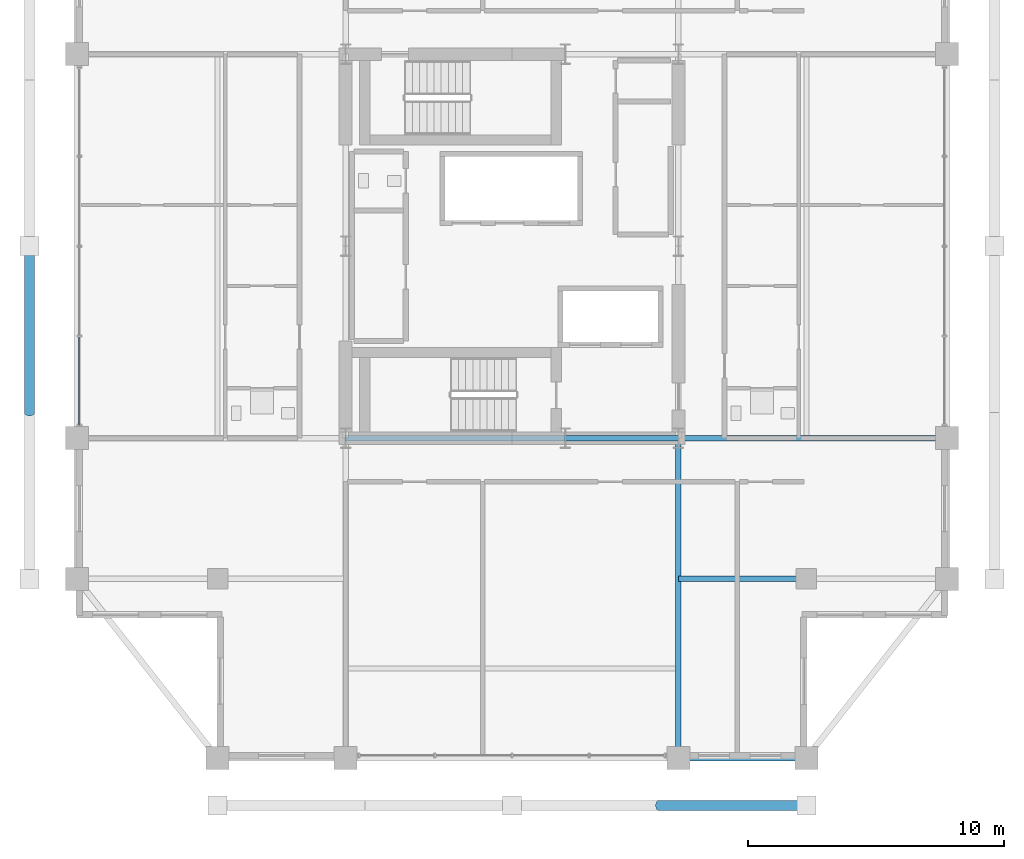
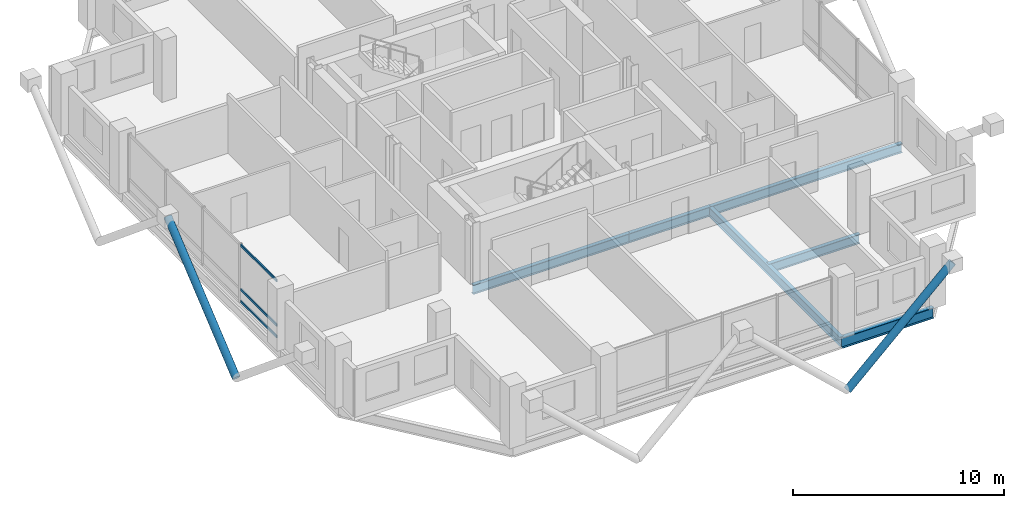
# One storey, part 6 of 23: 6 beams, 5 members, 1 element without a shape of its own.
"""IFC4 building model written with IfcOpenShell, lengths in metres."""

from ifc_helpers import new_model, si_unit, direction, frame, origin, origin_2d, place, context, subcontext, project, spatial, hollow_rectangle, hollow_circle, i_section, extrude, material, layer, layer_set, material_profile, profile_set, type_object, element, aggregate, save


model = new_model("IFC4")

# Units and contexts
model_context = context("Model", 3, precision=1e-05, world=origin(), true_north=direction((0.0, 1.0)))
body_context = subcontext(model_context, "Body", "Model", "MODEL_VIEW")
ifc_project = project(units=[si_unit("LENGTHUNIT", "METRE"), si_unit("AREAUNIT", "SQUARE_METRE"), si_unit("VOLUMEUNIT", "CUBIC_METRE"), si_unit("PLANEANGLEUNIT", "RADIAN"), si_unit("MASSUNIT", "GRAM", prefix="KILO")], contexts=[model_context])

# Site, building, storey
site_placement = place(None, origin())
site = spatial("IfcSite", under=ifc_project, at=site_placement, CompositionType="ELEMENT")
building_placement = place(site_placement, origin())
building = spatial("IfcBuilding", under=site, at=building_placement, Name="Barlavira Tower and Art Museum", CompositionType="ELEMENT")
storey_placement = place(building_placement, frame((0.0, 0.0, 290.699951171875)))
storey = spatial("IfcBuildingStorey", under=building, at=storey_placement, Name="L76", CompositionType="ELEMENT", Elevation=290.699951171875)

# Curtain wall, members
ifc_material_1 = material(Name="Low-iron coastal laminated glass", Category="glass")
ifc_layer = layer(ifc_material_1, 0.2099609375, Name="Low-iron coastal laminated glass")
ifc_layer_set = layer_set([ifc_layer], Name="Low-iron coastal laminated glass")
curtain_wall_type = type_object("IfcCurtainWallType", Name="Pale-Metal Unitised Curtain Wall Zone 4", PredefinedType="NOTDEFINED", material=ifc_layer_set)
curtain_wall_placement = place(storey_placement, origin())
curtain_wall = element("IfcCurtainWall", 1, at=curtain_wall_placement, inside=storey, type_object=curtain_wall_type, Name="L76 Curtain Wall CW4-L76-W-B3", PredefinedType="NOTDEFINED")
ifc_material_2 = material(Name="Pale anodised aluminium", Category="aluminium")
ifc_material_profile_1 = material_profile(ifc_material_2, hollow_rectangle(XDim=0.06494140625, YDim=0.139892578125, WallThickness=0.00390625, at=origin_2d()), Name="ALU-TRAN 65x140x4")
ifc_profile_set_1 = profile_set([ifc_material_profile_1], Name="Pale anodised aluminium")
member_type_1 = type_object("IfcMemberType", Name="Curtain Wall Pale-Metal Transom 65x140", PredefinedType="USERDEFINED", material=ifc_profile_set_1)
member_1_placement = place(storey_placement, frame((-16.89990234375, -3.56005859375, 0.070068359375), z_axis=(0.0, -1.0, 0.0), x_axis=(1.0, 0.0, 0.0)))
member_1 = element("IfcMember", 2, at=member_1_placement, type_object=member_type_1, Name="CW4-L76-W-B3 Transom 3.1", ObjectType="TRANSOM", PredefinedType="USERDEFINED", context=body_context, shape_type="SweptSolid", body=[
    extrude(hollow_rectangle(XDim=0.06494140625, YDim=0.139892578125, WallThickness=0.00390625, at=origin_2d()), origin(), (0.0, 0.0, 1.0), 3.425048828125),
])
member_2_placement = place(storey_placement, frame((-16.89990234375, -3.56005859375, 0.744140625), z_axis=(0.0, -1.0, 0.0), x_axis=(1.0, 0.0, 0.0)))
member_2 = element("IfcMember", 3, at=member_2_placement, type_object=member_type_1, Name="CW4-L76-W-B3 Transom 3.2", ObjectType="TRANSOM", PredefinedType="USERDEFINED", context=body_context, shape_type="SweptSolid", body=[
    extrude(hollow_rectangle(XDim=0.06494140625, YDim=0.139892578125, WallThickness=0.00390625, at=origin_2d()), origin(), (0.0, 0.0, 1.0), 3.425048828125),
])
member_3_placement = place(storey_placement, frame((-16.89990234375, -3.56005859375, 3.31005859375), z_axis=(0.0, -1.0, 0.0), x_axis=(1.0, 0.0, 0.0)))
member_3 = element("IfcMember", 4, at=member_3_placement, type_object=member_type_1, Name="CW4-L76-W-B3 Transom 3.3", ObjectType="TRANSOM", PredefinedType="USERDEFINED", context=body_context, shape_type="SweptSolid", body=[
    extrude(hollow_rectangle(XDim=0.06494140625, YDim=0.139892578125, WallThickness=0.00390625, at=origin_2d()), origin(), (0.0, 0.0, 1.0), 3.425048828125),
])
aggregate(curtain_wall, [member_1, member_2, member_3])

# Members
ifc_material_3 = material(Name="Steel S355", Category="steel")
ifc_material_profile_2 = material_profile(ifc_material_3, hollow_circle(Radius=0.203125, WallThickness=0.01611328125, at=origin_2d()), Name="CHS 406.4x16.0")
ifc_profile_set_2 = profile_set([ifc_material_profile_2], Name="Steel S355")
member_type_2 = type_object("IfcMemberType", Name="Pale-Metal Exoskeleton Diagrid Tube CHS 406x16 Steel S355", PredefinedType="BRACE", material=ifc_profile_set_2)
member_4_placement = place(storey_placement, frame((5.75, -21.85009765625, -1.919921875), z_axis=(0.728950095515, 0.0, 0.684566839869), x_axis=(0.0, 1.0, 0.0)))
element("IfcMember", 5, at=member_4_placement, inside=storey, type_object=member_type_2, Name="L76 Exoskeleton Diagrid Tube S", PredefinedType="BRACE", context=body_context, shape_type="SweptSolid", body=[
    extrude(hollow_circle(Radius=0.203125, WallThickness=0.01611328125, at=origin_2d()), origin(), (0.0, 0.0, 1.0), 7.887939453125),
])
member_5_placement = place(storey_placement, frame((-18.85009765625, -6.5, -1.919921875), z_axis=(0.0, 0.769196053329, 0.639012857104), x_axis=(-1.0, 0.0, 0.0)))
element("IfcMember", 6, at=member_5_placement, inside=storey, type_object=member_type_2, Name="L76 Exoskeleton Diagrid Tube W", PredefinedType="BRACE", context=body_context, shape_type="SweptSolid", body=[
    extrude(hollow_circle(Radius=0.203125, WallThickness=0.01611328125, at=origin_2d()), origin(), (0.0, 0.0, 1.0), 8.450439453125),
])

# Beams
ifc_material_profile_3 = material_profile(ifc_material_3, i_section(OverallWidth=0.22998046875, OverallDepth=0.616943359375, WebThickness=0.01318359375, FlangeThickness=0.022216796875, at=origin_2d()), Name="W610x140.0")
ifc_profile_set_3 = profile_set([ifc_material_profile_3], Name="Steel S355")
beam_type_1 = type_object("IfcBeamType", Name="Upper Shaft Spandrel Edge Beam W610x140 Steel S355", PredefinedType="SPANDREL", material=ifc_profile_set_3)
beam_1_placement = place(storey_placement, frame((6.5, -20.0, -0.528564453125), z_axis=(1.0, 0.0, 0.0), x_axis=(0.0, 1.0, 0.0)))
element("IfcBeam", 7, at=beam_1_placement, inside=storey, type_object=beam_type_1, Name="L76 Spandrel 3", PredefinedType="SPANDREL", context=body_context, shape_type="SweptSolid", body=[
    extrude(i_section(OverallWidth=0.22998046875, OverallDepth=0.616943359375, WebThickness=0.01318359375, FlangeThickness=0.022216796875, at=origin_2d()), origin(), (0.0, 0.0, 1.0), 5.0),
])
ifc_material_profile_4 = material_profile(ifc_material_3, i_section(OverallWidth=0.2109375, OverallDepth=0.5390625, WebThickness=0.01171875, FlangeThickness=0.018798828125, at=origin_2d()), Name="W530x109.0")
ifc_profile_set_4 = profile_set([ifc_material_profile_4], Name="Steel S355")
beam_type_2 = type_object("IfcBeamType", Name="Zone 3-4 Primary Floor Girder W530x109 Steel S355", PredefinedType="BEAM", material=ifc_profile_set_4)
beam_2_placement = place(storey_placement, frame((-6.5, -7.5, -0.489501953125), z_axis=(1.0, 0.0, 0.0), x_axis=(0.0, 1.0, 0.0)))
element("IfcBeam", 8, at=beam_2_placement, inside=storey, type_object=beam_type_2, Name="L76 Girder C-S1", PredefinedType="BEAM", context=body_context, shape_type="SweptSolid", body=[
    extrude(i_section(OverallWidth=0.2109375, OverallDepth=0.5390625, WebThickness=0.01171875, FlangeThickness=0.018798828125, at=origin_2d()), origin(), (0.0, 0.0, 1.0), 8.580078125),
])
beam_3_placement = place(storey_placement, frame((2.080078125, -7.5, -0.489501953125), z_axis=(1.0, 0.0, 0.0), x_axis=(0.0, 1.0, 0.0)))
element("IfcBeam", 9, at=beam_3_placement, inside=storey, type_object=beam_type_2, Name="L76 Girder C-S2", PredefinedType="BEAM", context=body_context, shape_type="SweptSolid", body=[
    extrude(i_section(OverallWidth=0.2109375, OverallDepth=0.5390625, WebThickness=0.01171875, FlangeThickness=0.018798828125, at=origin_2d()), origin(), (0.0, 0.0, 1.0), 4.419921875),
])
beam_4_placement = place(storey_placement, frame((6.5, -20.0, -0.489501953125), z_axis=(0.0, 1.0, 0.0), x_axis=(-1.0, 0.0, 0.0)))
element("IfcBeam", 10, at=beam_4_placement, inside=storey, type_object=beam_type_2, Name="L76 Girder R-S2", PredefinedType="BEAM", context=body_context, shape_type="SweptSolid", body=[
    extrude(i_section(OverallWidth=0.2109375, OverallDepth=0.5390625, WebThickness=0.01171875, FlangeThickness=0.018798828125, at=origin_2d()), origin(), (0.0, 0.0, 1.0), 12.5),
])
beam_5_placement = place(storey_placement, frame((6.5, -7.5, -0.489501953125), z_axis=(1.0, 0.0, 0.0), x_axis=(0.0, 1.0, 0.0)))
element("IfcBeam", 11, at=beam_5_placement, inside=storey, type_object=beam_type_2, Name="L76 Girder R-E1", PredefinedType="BEAM", context=body_context, shape_type="SweptSolid", body=[
    extrude(i_section(OverallWidth=0.2109375, OverallDepth=0.5390625, WebThickness=0.01171875, FlangeThickness=0.018798828125, at=origin_2d()), origin(), (0.0, 0.0, 1.0), 10.5),
])
beam_6_placement = place(storey_placement, frame((6.5, -13.0, -0.489501953125), z_axis=(1.0, 0.0, 0.0), x_axis=(0.0, 1.0, 0.0)))
element("IfcBeam", 12, at=beam_6_placement, inside=storey, type_object=beam_type_2, Name="L76 Girder I-S3", PredefinedType="BEAM", context=body_context, shape_type="SweptSolid", body=[
    extrude(i_section(OverallWidth=0.2109375, OverallDepth=0.5390625, WebThickness=0.01171875, FlangeThickness=0.018798828125, at=origin_2d()), origin(), (0.0, 0.0, 1.0), 5.0),
])

save(model, "model.ifc")
